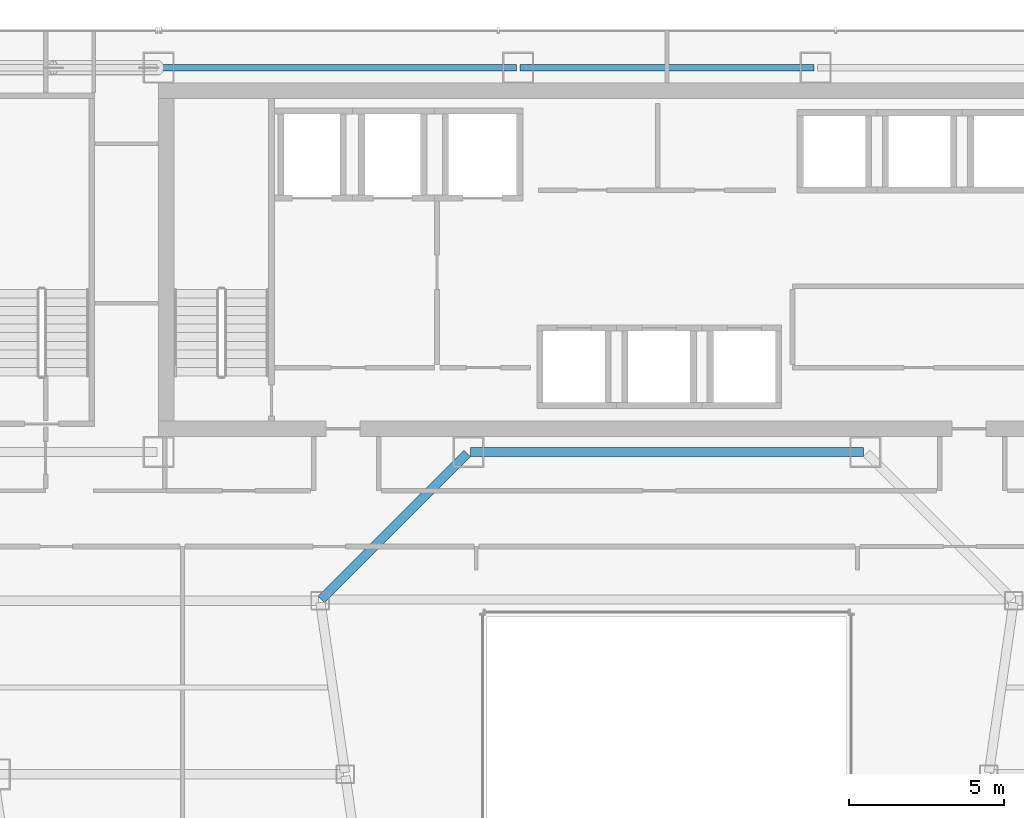
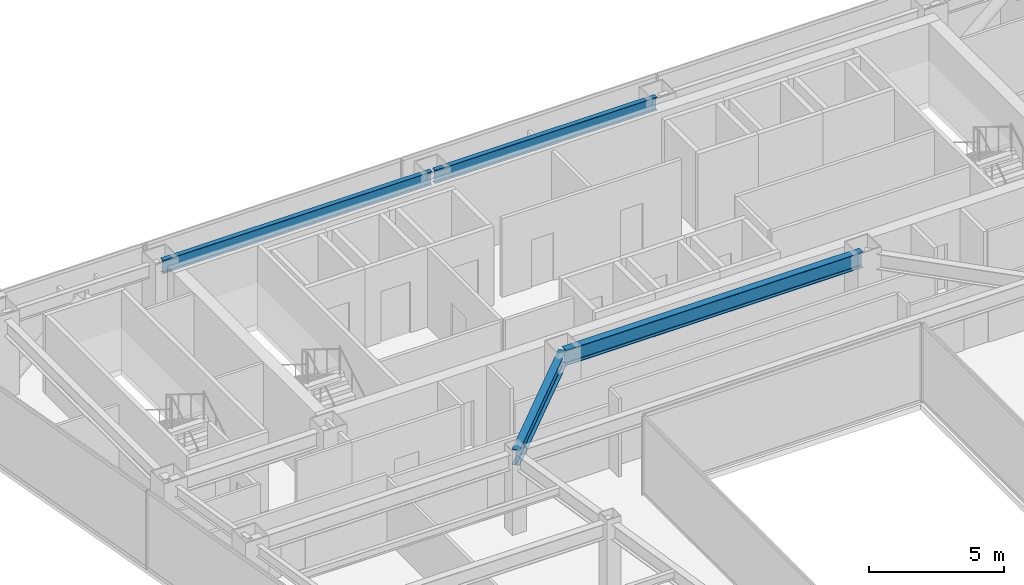
# One storey, part 21 of 36: 4 beams.
"""IFC4 building model written with IfcOpenShell, lengths in metres."""

from ifc_helpers import new_model, si_unit, direction, frame, origin, origin_2d, place, context, subcontext, project, spatial, i_section, extrude, material, material_profile, profile_set, type_object, element, save


model = new_model("IFC4")

# Units and contexts
model_context = context("Model", 3, precision=1e-05, world=origin(), true_north=direction((0.0, 1.0)))
body_context = subcontext(model_context, "Body", "Model", "MODEL_VIEW")
ifc_project = project(units=[si_unit("LENGTHUNIT", "METRE"), si_unit("AREAUNIT", "SQUARE_METRE"), si_unit("VOLUMEUNIT", "CUBIC_METRE"), si_unit("PLANEANGLEUNIT", "RADIAN"), si_unit("MASSUNIT", "GRAM", prefix="KILO")], contexts=[model_context])

# Site, building, storey
site_placement = place(None, origin())
site = spatial("IfcSite", under=ifc_project, at=site_placement, CompositionType="ELEMENT")
building_placement = place(site_placement, origin())
building = spatial("IfcBuilding", under=site, at=building_placement, Name="Saevonmaru Cultural Tower", CompositionType="ELEMENT")
storey_placement = place(building_placement, frame((0.0, 0.0, 152.39990234375)))
storey = spatial("IfcBuildingStorey", under=building, at=storey_placement, Name="L33", CompositionType="ELEMENT", Elevation=152.39990234375)

# Beams
ifc_material = material(Name="Steel SM355", Category="steel")
ifc_material_profile_1 = material_profile(ifc_material, i_section(OverallWidth=0.300048828125, OverallDepth=0.699951171875, WebThickness=0.012939453125, FlangeThickness=0.02392578125, FilletRadius=0.02587890625, at=origin_2d()), Name="H-700x300x13x24")
ifc_profile_set_1 = profile_set([ifc_material_profile_1], Name="Steel SM355")
beam_type_1 = type_object("IfcBeamType", Name="BM-G-H700", PredefinedType="BEAM", material=ifc_profile_set_1)
beam_1_placement = place(storey_placement, frame((23.659912109375, 42.39990234375, 3.2001953125), z_axis=(1.0, 0.0, 0.0), x_axis=(0.0, 1.0, 0.0)))
element("IfcBeam", 1, at=beam_1_placement, inside=storey, type_object=beam_type_1, Name="L33 Core South Girder 3", PredefinedType="BEAM", context=body_context, shape_type="SweptSolid", body=[
    extrude(i_section(OverallWidth=0.300048828125, OverallDepth=0.699951171875, WebThickness=0.012939453125, FlangeThickness=0.02392578125, FilletRadius=0.02587890625, at=origin_2d()), origin(), (0.0, 0.0, 1.0), 12.68017578125),
])
beam_2_placement = place(storey_placement, frame((18.850341796875, 37.642578125, 3.2001953125), z_axis=(0.706538566564, 0.707674539572, 0.0), x_axis=(-0.707674539572, 0.706538566564, 0.0)))
element("IfcBeam", 2, at=beam_2_placement, inside=storey, type_object=beam_type_1, Name="L33 West Atrium Girder 5", PredefinedType="BEAM", context=body_context, shape_type="SweptSolid", body=[
    extrude(i_section(OverallWidth=0.300048828125, OverallDepth=0.699951171875, WebThickness=0.012939453125, FlangeThickness=0.02392578125, FilletRadius=0.02587890625, at=origin_2d()), origin(), (0.0, 0.0, 1.0), 6.662353515625),
])
ifc_material_profile_2 = material_profile(ifc_material, i_section(OverallWidth=0.199951171875, OverallDepth=0.60009765625, WebThickness=0.010986328125, FlangeThickness=0.01708984375, FilletRadius=0.02197265625, at=origin_2d()), Name="H-600x200x11x17")
ifc_profile_set_2 = profile_set([ifc_material_profile_2], Name="Steel SM355")
beam_type_2 = type_object("IfcBeamType", Name="BM-SP-H600", PredefinedType="SPANDREL", material=ifc_profile_set_2)
beam_3_placement = place(storey_placement, frame((13.659912109375, 54.800048828125, 3.25), z_axis=(1.0, 0.0, 0.0), x_axis=(0.0, 1.0, 0.0)))
element("IfcBeam", 3, at=beam_3_placement, inside=storey, type_object=beam_type_2, Name="L33 North Spine Girder 2", PredefinedType="SPANDREL", context=body_context, shape_type="SweptSolid", body=[
    extrude(i_section(OverallWidth=0.199951171875, OverallDepth=0.60009765625, WebThickness=0.010986328125, FlangeThickness=0.01708984375, FilletRadius=0.02197265625, at=origin_2d()), origin(), (0.0, 0.0, 1.0), 11.47998046875),
])
beam_4_placement = place(storey_placement, frame((25.260009765625, 54.800048828125, 3.25), z_axis=(1.0, 0.0, 0.0), x_axis=(0.0, 1.0, 0.0)))
element("IfcBeam", 4, at=beam_4_placement, inside=storey, type_object=beam_type_2, Name="L33 North Spine Girder 3", PredefinedType="SPANDREL", context=body_context, shape_type="SweptSolid", body=[
    extrude(i_section(OverallWidth=0.199951171875, OverallDepth=0.60009765625, WebThickness=0.010986328125, FlangeThickness=0.01708984375, FilletRadius=0.02197265625, at=origin_2d()), origin(), (0.0, 0.0, 1.0), 9.47998046875),
])

save(model, "model.ifc")
